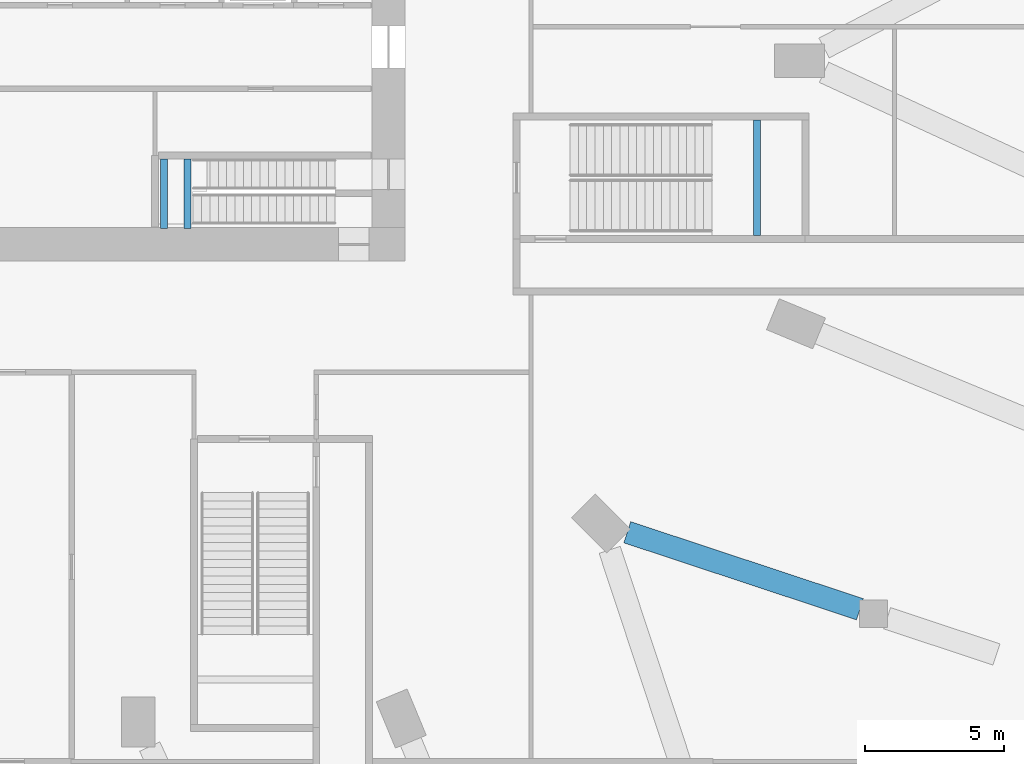
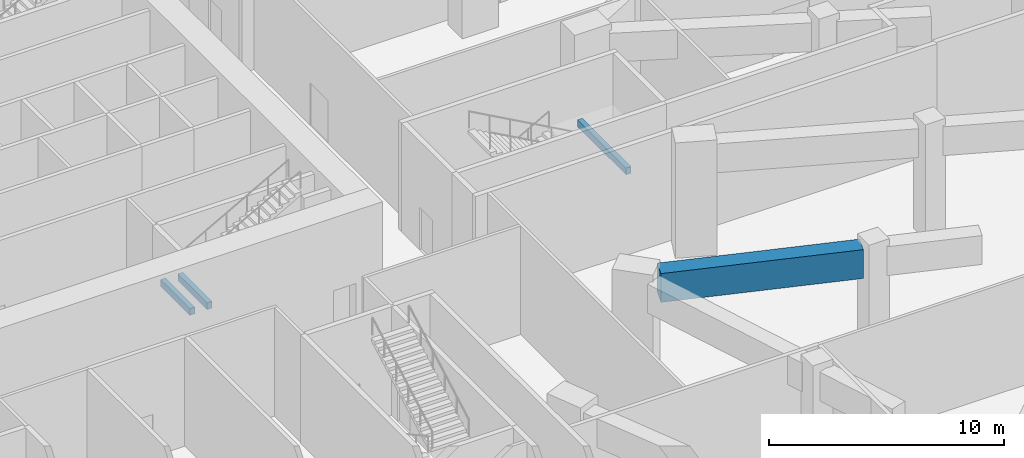
# One storey, part 8 of 36: 4 beams.
"""IFC4 building model written with IfcOpenShell, lengths in metres."""

from ifc_helpers import new_model, si_unit, direction, frame, origin, origin_2d, place, context, subcontext, project, spatial, rectangle, extrude, material, material_profile, profile_set, type_object, element, save


model = new_model("IFC4")

# Units and contexts
model_context = context("Model", 3, precision=1e-05, world=origin(), true_north=direction((0.0, 1.0)))
body_context = subcontext(model_context, "Body", "Model", "MODEL_VIEW")
ifc_project = project(units=[si_unit("LENGTHUNIT", "METRE"), si_unit("AREAUNIT", "SQUARE_METRE"), si_unit("VOLUMEUNIT", "CUBIC_METRE"), si_unit("PLANEANGLEUNIT", "RADIAN"), si_unit("MASSUNIT", "GRAM", prefix="KILO")], contexts=[model_context])

# Site, building, storey
site_placement = place(None, origin())
site = spatial("IfcSite", under=ifc_project, at=site_placement, CompositionType="ELEMENT")
building_placement = place(site_placement, origin())
building = spatial("IfcBuilding", under=site, at=building_placement, Name="Msitu Wima Residences", CompositionType="ELEMENT")
storey_placement = place(building_placement, origin())
storey = spatial("IfcBuildingStorey", under=building, at=storey_placement, Name="L00", CompositionType="ELEMENT", Elevation=0.0)

# Beams
ifc_material_1 = material(Name="Concrete C40/50", Category="concrete")
ifc_material_profile_1 = material_profile(ifc_material_1, rectangle(XDim=0.25, YDim=0.35009765625, at=origin_2d()), Name="RC 250x350")
ifc_profile_set_1 = profile_set([ifc_material_profile_1], Name="Concrete C40/50")
beam_type_1 = type_object("IfcBeamType", Name="Landing beam RC 250x350", PredefinedType="BEAM", material=ifc_profile_set_1)
for number, where, z_axis, x_axis, name in (
    (1, (6.574951171875, -10.824951171875, 2.625), (0.0, 1.0, 0.0), (-1.0, 0.0, 0.0), "Stair 4 landing beam"),
    (2, (5.72509765625, -10.824951171875, 2.625), (0.0, 1.0, 0.0), (-1.0, 0.0, 0.0), "Stair 4 landing beam"),
):
    element("IfcBeam", number, at=place(storey_placement, frame(where, z_axis=z_axis, x_axis=x_axis)), inside=storey, type_object=beam_type_1, Name=name, PredefinedType="BEAM", context=body_context, shape_type="SweptSolid", body=[
        extrude(rectangle(XDim=0.25, YDim=0.35009765625, at=origin_2d()), origin(), (0.0, 0.0, 1.0), 2.5),
    ])
beam_1_placement = place(storey_placement, frame((27.050048828125, -6.925048828125, 2.625), z_axis=(0.0, -1.0, 0.0), x_axis=(1.0, 0.0, 0.0)))
element("IfcBeam", 3, at=beam_1_placement, inside=storey, type_object=beam_type_1, Name="Podium exit stair 2 landing beam", PredefinedType="BEAM", context=body_context, shape_type="SweptSolid", body=[
    extrude(rectangle(XDim=0.25, YDim=0.35009765625, at=origin_2d()), origin(), (0.0, 0.0, 1.0), 4.14990234375),
])
ifc_material_2 = material(Name="Concrete C60/75", Category="concrete")
ifc_material_profile_2 = material_profile(ifc_material_2, rectangle(XDim=0.800048828125, YDim=1.5, at=origin_2d()), Name="RC 800x1500")
ifc_profile_set_2 = profile_set([ifc_material_profile_2], Name="Concrete C60/75")
beam_type_2 = type_object("IfcBeamType", Name="Podium cantilever girder RC 800x1500 Concrete C60/75", PredefinedType="BEAM", material=ifc_profile_set_2)
beam_2_placement = place(storey_placement, frame((22.3857421875, -21.753662109375, 4.89990234375), z_axis=(0.949351421347, -0.314216293001, 0.0), x_axis=(0.314216293001, 0.949351421347, 0.0)))
element("IfcBeam", 4, at=beam_2_placement, inside=storey, type_object=beam_type_2, Name="Podium cantilever girder L01 C-SE2 back-span", PredefinedType="BEAM", context=body_context, shape_type="SweptSolid", body=[
    extrude(rectangle(XDim=0.800048828125, YDim=1.5, at=origin_2d()), origin(), (0.0, 0.0, 1.0), 8.81494140625),
])

save(model, "model.ifc")
